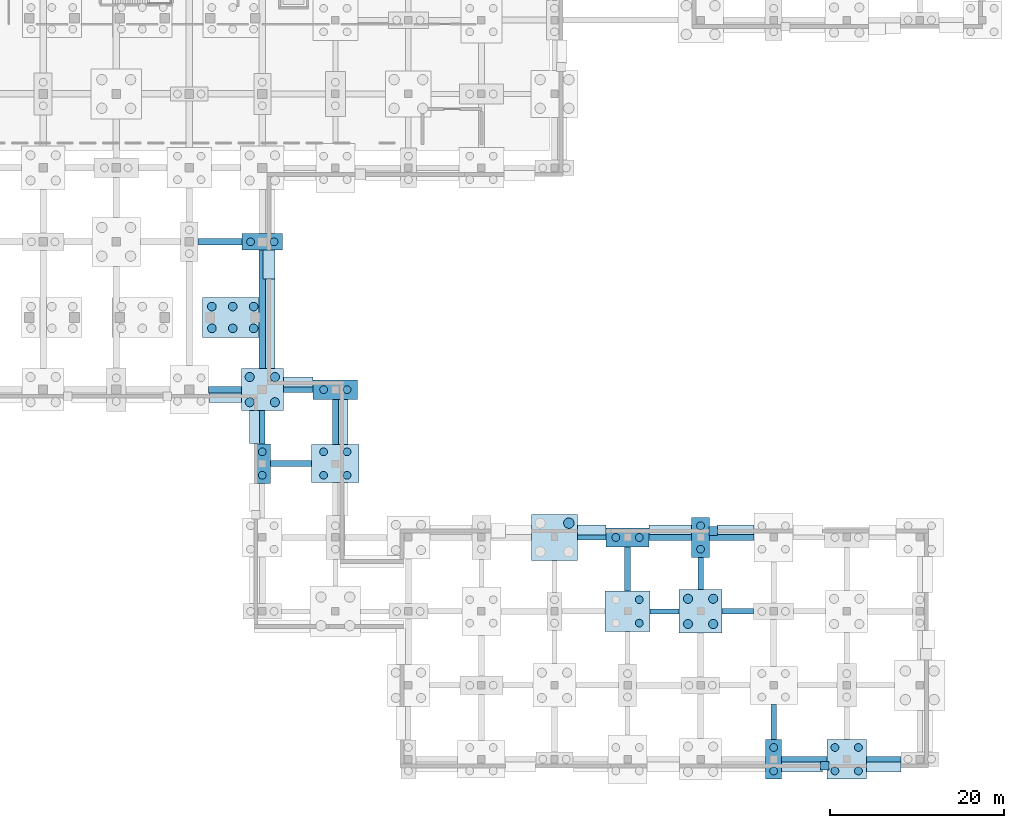
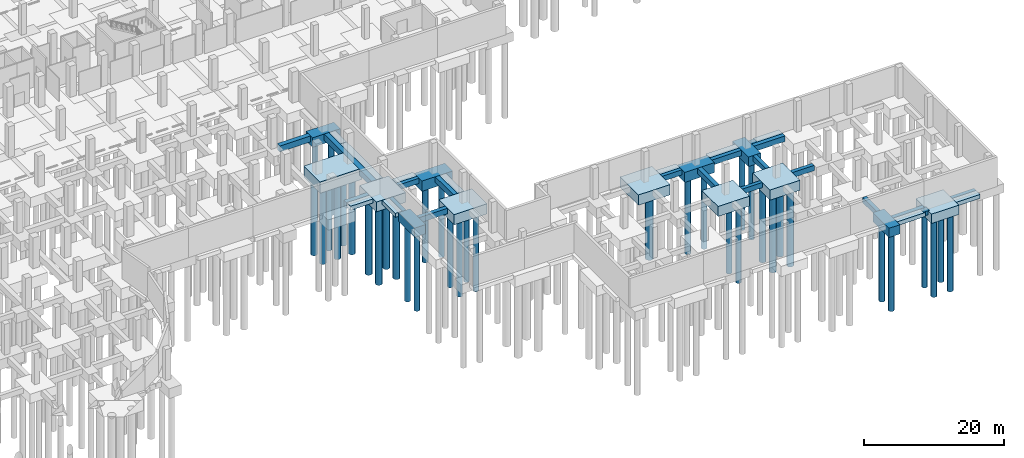
# One storey, part 13 of 34: 43 footings, 37 piles.
"""IFC4 building model written with IfcOpenShell, lengths in metres."""

from ifc_helpers import new_model, si_unit, direction, frame, origin, origin_2d, place, context, subcontext, project, spatial, rectangle, circle, extrude, material, material_profile, profile_set, type_object, element, save


model = new_model("IFC4")

# Units and contexts
model_context = context("Model", 3, precision=1e-05, world=origin(), true_north=direction((0.0, 1.0)))
body_context = subcontext(model_context, "Body", "Model", "MODEL_VIEW")
ifc_project = project(units=[si_unit("LENGTHUNIT", "METRE"), si_unit("AREAUNIT", "SQUARE_METRE"), si_unit("VOLUMEUNIT", "CUBIC_METRE"), si_unit("PLANEANGLEUNIT", "RADIAN"), si_unit("MASSUNIT", "GRAM", prefix="KILO")], contexts=[model_context])

# Site, building, storey
site_placement = place(None, origin())
site = spatial("IfcSite", under=ifc_project, at=site_placement, CompositionType="ELEMENT")
building_placement = place(site_placement, origin())
building = spatial("IfcBuilding", under=site, at=building_placement, Name="Solvento Point Concert Hall", CompositionType="ELEMENT")
storey_placement = place(building_placement, frame((0.0, 0.0, -5.39990234375)))
storey = spatial("IfcBuildingStorey", under=building, at=storey_placement, Name="B01", CompositionType="ELEMENT", Elevation=-5.39990234375)

# Piles
ifc_material_1 = material(Name="Concrete C40/50", Category="concrete")
ifc_material_profile_1 = material_profile(ifc_material_1, circle(Radius=0.5, at=origin_2d()), Name="BP-1000")
ifc_profile_set_1 = profile_set([ifc_material_profile_1], Name="Concrete C40/50")
pile_type_1 = type_object("IfcPileType", Name="BoredPile_1000", PredefinedType="BORED", material=ifc_profile_set_1)
for number, where, z_axis, x_axis, name in (
    (1, (127.39990234375, 49.550048828125, -1.880126953125), (0.0, 0.0, -1.0), (1.0, 0.0, 0.0), "Bored pile BoredPile_1000 #875"),
    (2, (129.800048828125, 49.550048828125, -1.880126953125), (0.0, 0.0, -1.0), (1.0, 0.0, 0.0), "Bored pile BoredPile_1000 #876"),
    (3, (132.199951171875, 49.550048828125, -1.880126953125), (0.0, 0.0, -1.0), (1.0, 0.0, 0.0), "Bored pile BoredPile_1000 #877"),
    (4, (127.39990234375, 52.050048828125, -1.880126953125), (0.0, 0.0, -1.0), (1.0, 0.0, 0.0), "Bored pile BoredPile_1000 #878"),
    (5, (129.800048828125, 52.050048828125, -1.880126953125), (0.0, 0.0, -1.0), (1.0, 0.0, 0.0), "Bored pile BoredPile_1000 #879"),
    (6, (132.199951171875, 52.050048828125, -1.880126953125), (0.0, 0.0, -1.0), (1.0, 0.0, 0.0), "Bored pile BoredPile_1000 #880"),
):
    element("IfcPile", number, at=place(storey_placement, frame(where, z_axis=z_axis, x_axis=x_axis)), inside=storey, type_object=pile_type_1, Name=name, PredefinedType="BORED", context=body_context, shape_type="SweptSolid", body=[
        extrude(circle(Radius=0.5, at=origin_2d()), origin(), (0.0, 0.0, 1.0), 13.219970703125),
    ])
ifc_material_2 = material(Name="Concrete C40/50", Category="concrete")
ifc_material_profile_2 = material_profile(ifc_material_2, circle(Radius=0.52490234375, at=origin_2d()), Name="BP-1050")
ifc_profile_set_2 = profile_set([ifc_material_profile_2], Name="Concrete C40/50")
pile_type_2 = type_object("IfcPileType", Name="BoredPile_1050", PredefinedType="BORED", material=ifc_profile_set_2)
for number, where, z_axis, x_axis, name in (
    (7, (131.75, 41.050048828125, -1.6201171875), (0.0, 0.0, -1.0), (1.0, 0.0, 0.0), "Bored pile BoredPile_1050 #445"),
    (8, (134.64990234375, 41.050048828125, -1.6201171875), (0.0, 0.0, -1.0), (1.0, 0.0, 0.0), "Bored pile BoredPile_1050 #446"),
    (9, (131.75, 43.949951171875, -1.6201171875), (0.0, 0.0, -1.0), (1.0, 0.0, 0.0), "Bored pile BoredPile_1050 #447"),
    (10, (134.64990234375, 43.949951171875, -1.6201171875), (0.0, 0.0, -1.0), (1.0, 0.0, 0.0), "Bored pile BoredPile_1050 #448"),
):
    element("IfcPile", number, at=place(storey_placement, frame(where, z_axis=z_axis, x_axis=x_axis)), inside=storey, type_object=pile_type_2, Name=name, PredefinedType="BORED", context=body_context, shape_type="SweptSolid", body=[
        extrude(circle(Radius=0.52490234375, at=origin_2d()), origin(), (0.0, 0.0, 1.0), 13.47998046875),
    ])
for number, where, z_axis, x_axis, name in (
    (11, (182.14990234375, 15.550048828125, -1.66015625), (0.0, 0.0, -1.0), (1.0, 0.0, 0.0), "Bored pile BoredPile_1050 #667"),
    (12, (185.050048828125, 15.550048828125, -1.66015625), (0.0, 0.0, -1.0), (1.0, 0.0, 0.0), "Bored pile BoredPile_1050 #668"),
    (13, (182.14990234375, 18.449951171875, -1.66015625), (0.0, 0.0, -1.0), (1.0, 0.0, 0.0), "Bored pile BoredPile_1050 #669"),
    (14, (185.050048828125, 18.449951171875, -1.66015625), (0.0, 0.0, -1.0), (1.0, 0.0, 0.0), "Bored pile BoredPile_1050 #670"),
):
    element("IfcPile", number, at=place(storey_placement, frame(where, z_axis=z_axis, x_axis=x_axis)), inside=storey, type_object=pile_type_2, Name=name, PredefinedType="BORED", context=body_context, shape_type="SweptSolid", body=[
        extrude(circle(Radius=0.52490234375, at=origin_2d()), origin(), (0.0, 0.0, 1.0), 13.43994140625),
    ])
ifc_material_3 = material(Name="Concrete C40/50", Category="concrete")
ifc_material_profile_3 = material_profile(ifc_material_3, circle(Radius=0.60009765625, at=origin_2d()), Name="BP-1200")
ifc_profile_set_3 = profile_set([ifc_material_profile_3], Name="Concrete C40/50")
pile_type_3 = type_object("IfcPileType", Name="BoredPile_1200", PredefinedType="BORED", material=ifc_profile_set_3)
pile_placement = place(storey_placement, frame((168.449951171875, 27.14990234375, -1.7001953125), z_axis=(0.0, 0.0, -1.0), x_axis=(1.0, 0.0, 0.0)))
element("IfcPile", 15, at=pile_placement, inside=storey, type_object=pile_type_3, Name="Bored pile BoredPile_1200 #604", PredefinedType="BORED", context=body_context, shape_type="SweptSolid", body=[
    extrude(circle(Radius=0.60009765625, at=origin_2d()), origin(), (0.0, 0.0, 1.0), 13.39990234375),
])
ifc_material_4 = material(Name="Concrete C40/50", Category="concrete")
ifc_material_profile_4 = material_profile(ifc_material_4, circle(Radius=0.449951171875, at=origin_2d()), Name="BP-900")
ifc_profile_set_4 = profile_set([ifc_material_profile_4], Name="Concrete C40/50")
pile_type_4 = type_object("IfcPileType", Name="BoredPile_900", PredefinedType="BORED", material=ifc_profile_set_4)
for number, where, z_axis, x_axis, name in (
    (16, (133.199951171875, 32.64990234375, -1.52001953125), (0.0, 0.0, -1.0), (1.0, 0.0, 0.0), "Bored pile BoredPile_900 #443"),
    (17, (133.199951171875, 35.35009765625, -1.52001953125), (0.0, 0.0, -1.0), (1.0, 0.0, 0.0), "Bored pile BoredPile_900 #444"),
):
    element("IfcPile", number, at=place(storey_placement, frame(where, z_axis=z_axis, x_axis=x_axis)), inside=storey, type_object=pile_type_4, Name=name, PredefinedType="BORED", context=body_context, shape_type="SweptSolid", body=[
        extrude(circle(Radius=0.449951171875, at=origin_2d()), origin(), (0.0, 0.0, 1.0), 13.580078125),
    ])
for number, where, z_axis, x_axis, name in (
    (18, (131.85009765625, 59.5, -1.550048828125), (0.0, 0.0, -1.0), (1.0, 0.0, 0.0), "Bored pile BoredPile_900 #449"),
    (19, (134.550048828125, 59.5, -1.550048828125), (0.0, 0.0, -1.0), (1.0, 0.0, 0.0), "Bored pile BoredPile_900 #450"),
):
    element("IfcPile", number, at=place(storey_placement, frame(where, z_axis=z_axis, x_axis=x_axis)), inside=storey, type_object=pile_type_4, Name=name, PredefinedType="BORED", context=body_context, shape_type="SweptSolid", body=[
        extrude(circle(Radius=0.449951171875, at=origin_2d()), origin(), (0.0, 0.0, 1.0), 13.550048828125),
    ])
for number, where, z_axis, x_axis, name in (
    (20, (140.25, 32.64990234375, -1.68017578125), (0.0, 0.0, -1.0), (1.0, 0.0, 0.0), "Bored pile BoredPile_900 #481"),
    (21, (142.949951171875, 32.64990234375, -1.68017578125), (0.0, 0.0, -1.0), (1.0, 0.0, 0.0), "Bored pile BoredPile_900 #482"),
    (22, (140.25, 35.35009765625, -1.68017578125), (0.0, 0.0, -1.0), (1.0, 0.0, 0.0), "Bored pile BoredPile_900 #483"),
    (23, (142.949951171875, 35.35009765625, -1.68017578125), (0.0, 0.0, -1.0), (1.0, 0.0, 0.0), "Bored pile BoredPile_900 #484"),
):
    element("IfcPile", number, at=place(storey_placement, frame(where, z_axis=z_axis, x_axis=x_axis)), inside=storey, type_object=pile_type_4, Name=name, PredefinedType="BORED", context=body_context, shape_type="SweptSolid", body=[
        extrude(circle(Radius=0.449951171875, at=origin_2d()), origin(), (0.0, 0.0, 1.0), 13.419921875),
    ])
for number, where, z_axis, x_axis, name in (
    (24, (140.25, 42.5, -1.7001953125), (0.0, 0.0, -1.0), (1.0, 0.0, 0.0), "Bored pile BoredPile_900 #485"),
    (25, (142.949951171875, 42.5, -1.7001953125), (0.0, 0.0, -1.0), (1.0, 0.0, 0.0), "Bored pile BoredPile_900 #486"),
):
    element("IfcPile", number, at=place(storey_placement, frame(where, z_axis=z_axis, x_axis=x_axis)), inside=storey, type_object=pile_type_4, Name=name, PredefinedType="BORED", context=body_context, shape_type="SweptSolid", body=[
        extrude(circle(Radius=0.449951171875, at=origin_2d()), origin(), (0.0, 0.0, 1.0), 13.39990234375),
    ])
for number, where, z_axis, x_axis, name in (
    (26, (176.550048828125, 15.64990234375, -1.64013671875), (0.0, 0.0, -1.0), (1.0, 0.0, 0.0), "Bored pile BoredPile_900 #638"),
    (27, (176.550048828125, 18.35009765625, -1.64013671875), (0.0, 0.0, -1.0), (1.0, 0.0, 0.0), "Bored pile BoredPile_900 #640"),
):
    element("IfcPile", number, at=place(storey_placement, frame(where, z_axis=z_axis, x_axis=x_axis)), inside=storey, type_object=pile_type_4, Name=name, PredefinedType="BORED", context=body_context, shape_type="SweptSolid", body=[
        extrude(circle(Radius=0.449951171875, at=origin_2d()), origin(), (0.0, 0.0, 1.0), 13.4599609375),
    ])
for number, where, z_axis, x_axis, name in (
    (28, (173.85009765625, 25.5, -1.650146484375), (0.0, 0.0, -1.0), (1.0, 0.0, 0.0), "Bored pile BoredPile_900 #641"),
    (29, (176.550048828125, 25.5, -1.650146484375), (0.0, 0.0, -1.0), (1.0, 0.0, 0.0), "Bored pile BoredPile_900 #642"),
):
    element("IfcPile", number, at=place(storey_placement, frame(where, z_axis=z_axis, x_axis=x_axis)), inside=storey, type_object=pile_type_4, Name=name, PredefinedType="BORED", context=body_context, shape_type="SweptSolid", body=[
        extrude(circle(Radius=0.449951171875, at=origin_2d()), origin(), (0.0, 0.0, 1.0), 13.449951171875),
    ])
for number, where, z_axis, x_axis, name in (
    (30, (183.60009765625, 24.14990234375, -1.56005859375), (0.0, 0.0, -1.0), (1.0, 0.0, 0.0), "Bored pile BoredPile_900 #671"),
    (31, (183.60009765625, 26.85009765625, -1.56005859375), (0.0, 0.0, -1.0), (1.0, 0.0, 0.0), "Bored pile BoredPile_900 #672"),
):
    element("IfcPile", number, at=place(storey_placement, frame(where, z_axis=z_axis, x_axis=x_axis)), inside=storey, type_object=pile_type_4, Name=name, PredefinedType="BORED", context=body_context, shape_type="SweptSolid", body=[
        extrude(circle(Radius=0.449951171875, at=origin_2d()), origin(), (0.0, 0.0, 1.0), 13.5400390625),
    ])
for number, where, z_axis, x_axis, name in (
    (32, (192.0, -1.35009765625, -1.52001953125), (0.0, 0.0, -1.0), (1.0, 0.0, 0.0), "Bored pile BoredPile_900 #695"),
    (33, (192.0, 1.35009765625, -1.52001953125), (0.0, 0.0, -1.0), (1.0, 0.0, 0.0), "Bored pile BoredPile_900 #696"),
):
    element("IfcPile", number, at=place(storey_placement, frame(where, z_axis=z_axis, x_axis=x_axis)), inside=storey, type_object=pile_type_4, Name=name, PredefinedType="BORED", context=body_context, shape_type="SweptSolid", body=[
        extrude(circle(Radius=0.449951171875, at=origin_2d()), origin(), (0.0, 0.0, 1.0), 13.580078125),
    ])
for number, where, z_axis, x_axis, name in (
    (34, (199.050048828125, -1.35009765625, -1.550048828125), (0.0, 0.0, -1.0), (1.0, 0.0, 0.0), "Bored pile BoredPile_900 #727"),
    (35, (201.75, -1.35009765625, -1.550048828125), (0.0, 0.0, -1.0), (1.0, 0.0, 0.0), "Bored pile BoredPile_900 #728"),
    (36, (199.050048828125, 1.35009765625, -1.550048828125), (0.0, 0.0, -1.0), (1.0, 0.0, 0.0), "Bored pile BoredPile_900 #729"),
    (37, (201.75, 1.35009765625, -1.550048828125), (0.0, 0.0, -1.0), (1.0, 0.0, 0.0), "Bored pile BoredPile_900 #730"),
):
    element("IfcPile", number, at=place(storey_placement, frame(where, z_axis=z_axis, x_axis=x_axis)), inside=storey, type_object=pile_type_4, Name=name, PredefinedType="BORED", context=body_context, shape_type="SweptSolid", body=[
        extrude(circle(Radius=0.449951171875, at=origin_2d()), origin(), (0.0, 0.0, 1.0), 13.550048828125),
    ])

# Footings
ifc_material_5 = material(Name="Concrete C40/50", Category="concrete")
footing_type_1 = type_object("IfcFootingType", Name="PileCap_2D", PredefinedType="PILE_CAP", material=ifc_material_5)
for number, where, z_axis, x_axis, name in (
    (38, (133.199951171875, 34.0, -1.6201171875), (0.0, 0.0, 1.0), (1.0, 0.0, 0.0), "Pile cap PC-2D at G-17-E"),
    (39, (192.0, 0.0, -1.6201171875), (0.0, 0.0, 1.0), (1.0, 0.0, 0.0), "Pile cap PC-2D at G-24-A"),
):
    element("IfcFooting", number, at=place(storey_placement, frame(where, z_axis=z_axis, x_axis=x_axis)), inside=storey, type_object=footing_type_1, Name=name, PredefinedType="PILE_CAP", context=body_context, shape_type="SweptSolid", body=[
        extrude(rectangle(XDim=1.840087890625, YDim=4.5400390625, at=origin_2d()), origin(), (0.0, 0.0, 1.0), 1.6201171875),
    ])
ifc_material_6 = material(Name="Concrete C40/50", Category="concrete")
footing_type_2 = type_object("IfcFootingType", Name="PileCap_2E", PredefinedType="PILE_CAP", material=ifc_material_6)
footing_1_placement = place(storey_placement, frame((133.199951171875, 59.5, -1.650146484375), z_axis=(0.0, 0.0, 1.0), x_axis=(1.0, 0.0, 0.0)))
element("IfcFooting", 40, at=footing_1_placement, inside=storey, type_object=footing_type_2, Name="Pile cap PC-2E at G-17-H", PredefinedType="PILE_CAP", context=body_context, shape_type="SweptSolid", body=[
    extrude(rectangle(XDim=4.6201171875, YDim=1.89990234375, at=origin_2d()), origin(), (0.0, 0.0, 1.0), 1.64990234375),
])
ifc_material_7 = material(Name="Concrete C40/50", Category="concrete")
footing_type_3 = type_object("IfcFootingType", Name="PileCap_2J", PredefinedType="PILE_CAP", material=ifc_material_7)
footing_2_placement = place(storey_placement, frame((175.199951171875, 25.5, -1.75), z_axis=(0.0, 0.0, 1.0), x_axis=(1.0, 0.0, 0.0)))
element("IfcFooting", 41, at=footing_2_placement, inside=storey, type_object=footing_type_3, Name="Pile cap PC-2J at G-22-D", PredefinedType="PILE_CAP", context=body_context, shape_type="SweptSolid", body=[
    extrude(rectangle(XDim=4.93994140625, YDim=2.139892578125, at=origin_2d()), origin(), (0.0, 0.0, 1.0), 1.75),
])
ifc_material_8 = material(Name="Concrete C40/50", Category="concrete")
footing_type_4 = type_object("IfcFootingType", Name="PileCap_2L", PredefinedType="PILE_CAP", material=ifc_material_8)
footing_3_placement = place(storey_placement, frame((141.60009765625, 42.5, -1.80029296875), z_axis=(0.0, 0.0, 1.0), x_axis=(1.0, 0.0, 0.0)))
element("IfcFooting", 42, at=footing_3_placement, inside=storey, type_object=footing_type_4, Name="Pile cap PC-2L at G-18-F", PredefinedType="PILE_CAP", context=body_context, shape_type="SweptSolid", body=[
    extrude(rectangle(XDim=5.10009765625, YDim=2.260009765625, at=origin_2d()), origin(), (0.0, 0.0, 1.0), 1.800048828125),
])
ifc_material_9 = material(Name="Concrete C40/50", Category="concrete")
footing_type_5 = type_object("IfcFootingType", Name="PileCap_2P", PredefinedType="PILE_CAP", material=ifc_material_9)
footing_4_placement = place(storey_placement, frame((183.60009765625, 25.5, -1.66015625), z_axis=(0.0, 0.0, 1.0), x_axis=(1.0, 0.0, 0.0)))
element("IfcFooting", 43, at=footing_4_placement, inside=storey, type_object=footing_type_5, Name="Pile cap PC-2P at G-23-D", PredefinedType="PILE_CAP", context=body_context, shape_type="SweptSolid", body=[
    extrude(rectangle(XDim=2.050048828125, YDim=4.580078125, at=origin_2d()), origin(), (0.0, 0.0, 1.0), 1.659912109375),
])
ifc_material_10 = material(Name="Concrete C40/50", Category="concrete")
footing_type_6 = type_object("IfcFootingType", Name="PileCap_4B", PredefinedType="PILE_CAP", material=ifc_material_10)
footing_5_placement = place(storey_placement, frame((200.39990234375, 0.0, -1.650146484375), z_axis=(0.0, 0.0, 1.0), x_axis=(1.0, 0.0, 0.0)))
element("IfcFooting", 44, at=footing_5_placement, inside=storey, type_object=footing_type_6, Name="Pile cap PC-4B at G-25-A", PredefinedType="PILE_CAP", context=body_context, shape_type="SweptSolid", body=[
    extrude(rectangle(XDim=4.5, YDim=4.5, at=origin_2d()), origin(), (0.0, 0.0, 1.0), 1.64990234375),
])
ifc_material_11 = material(Name="Concrete C40/50", Category="concrete")
footing_type_7 = type_object("IfcFootingType", Name="PileCap_4C", PredefinedType="PILE_CAP", material=ifc_material_11)
footing_6_placement = place(storey_placement, frame((133.199951171875, 42.5, -1.72021484375), z_axis=(0.0, 0.0, 1.0), x_axis=(1.0, 0.0, 0.0)))
element("IfcFooting", 45, at=footing_6_placement, inside=storey, type_object=footing_type_7, Name="Pile cap PC-4C at G-17-F", PredefinedType="PILE_CAP", context=body_context, shape_type="SweptSolid", body=[
    extrude(rectangle(XDim=4.820068359375, YDim=4.820068359375, at=origin_2d()), origin(), (0.0, 0.0, 1.0), 1.719970703125),
])
ifc_material_12 = material(Name="Concrete C40/50", Category="concrete")
footing_type_8 = type_object("IfcFootingType", Name="PileCap_4D", PredefinedType="PILE_CAP", material=ifc_material_12)
footing_7_placement = place(storey_placement, frame((183.60009765625, 17.0, -1.76025390625), z_axis=(0.0, 0.0, 1.0), x_axis=(1.0, 0.0, 0.0)))
element("IfcFooting", 46, at=footing_7_placement, inside=storey, type_object=footing_type_8, Name="Pile cap PC-4D at G-23-C", PredefinedType="PILE_CAP", context=body_context, shape_type="SweptSolid", body=[
    extrude(rectangle(XDim=4.97998046875, YDim=4.97998046875, at=origin_2d()), origin(), (0.0, 0.0, 1.0), 1.760009765625),
])
ifc_material_13 = material(Name="Concrete C40/50", Category="concrete")
footing_type_9 = type_object("IfcFootingType", Name="PileCap_4E", PredefinedType="PILE_CAP", material=ifc_material_13)
footing_8_placement = place(storey_placement, frame((166.800048828125, 25.5, -1.80029296875), z_axis=(0.0, 0.0, 1.0), x_axis=(1.0, 0.0, 0.0)))
element("IfcFooting", 47, at=footing_8_placement, inside=storey, type_object=footing_type_9, Name="Pile cap PC-4E at G-21-D", PredefinedType="PILE_CAP", context=body_context, shape_type="SweptSolid", body=[
    extrude(rectangle(XDim=5.25, YDim=5.25, at=origin_2d()), origin(), (0.0, 0.0, 1.0), 1.800048828125),
])
ifc_material_14 = material(Name="Concrete C40/50", Category="concrete")
footing_type_10 = type_object("IfcFootingType", Name="PileCap_4J", PredefinedType="PILE_CAP", material=ifc_material_14)
footing_9_placement = place(storey_placement, frame((141.60009765625, 34.0, -1.7802734375), z_axis=(0.0, 0.0, 1.0), x_axis=(1.0, 0.0, 0.0)))
element("IfcFooting", 48, at=footing_9_placement, inside=storey, type_object=footing_type_10, Name="Pile cap PC-4J at G-18-E", PredefinedType="PILE_CAP", context=body_context, shape_type="SweptSolid", body=[
    extrude(rectangle(XDim=5.4599609375, YDim=4.360107421875, at=origin_2d()), origin(), (0.0, 0.0, 1.0), 1.780029296875),
])
ifc_material_15 = material(Name="Concrete C40/50", Category="concrete")
footing_type_11 = type_object("IfcFootingType", Name="PileCap_4L", PredefinedType="PILE_CAP", material=ifc_material_15)
footing_10_placement = place(storey_placement, frame((175.199951171875, 17.0, -1.740234375), z_axis=(0.0, 0.0, 1.0), x_axis=(1.0, 0.0, 0.0)))
element("IfcFooting", 49, at=footing_10_placement, inside=storey, type_object=footing_type_11, Name="Pile cap PC-4L at G-22-C", PredefinedType="PILE_CAP", context=body_context, shape_type="SweptSolid", body=[
    extrude(rectangle(XDim=5.159912109375, YDim=4.659912109375, at=origin_2d()), origin(), (0.0, 0.0, 1.0), 1.739990234375),
])
ifc_material_16 = material(Name="Concrete C40/50", Category="concrete")
footing_type_12 = type_object("IfcFootingType", Name="PileCap_6C", PredefinedType="PILE_CAP", material=ifc_material_16)
footing_11_placement = place(storey_placement, frame((129.800048828125, 50.800048828125, -1.97998046875), z_axis=(0.0, 0.0, 1.0), x_axis=(1.0, 0.0, 0.0)))
element("IfcFooting", 50, at=footing_11_placement, inside=storey, type_object=footing_type_12, Name="Pile cap PC-6C at D-DS11", PredefinedType="PILE_CAP", context=body_context, shape_type="SweptSolid", body=[
    extrude(rectangle(XDim=6.97998046875, YDim=4.639892578125, at=origin_2d()), origin(), (0.0, 0.0, 1.0), 1.97998046875),
])
ifc_material_17 = material(Name="Concrete C40/50", Category="concrete")
footing_type_13 = type_object("IfcFootingType", Name="StripFooting_1400x700", PredefinedType="STRIP_FOOTING", material=ifc_material_17)
footing_12_placement = place(storey_placement, frame((133.955078125, 56.89501953125, -0.7001953125), z_axis=(0.0, 0.0, 1.0), x_axis=(0.0, -1.0, 0.0)))
element("IfcFooting", 51, at=footing_12_placement, inside=storey, type_object=footing_type_13, Name="Strip footing SF-02", PredefinedType="STRIP_FOOTING", context=body_context, shape_type="SweptSolid", body=[
    extrude(rectangle(XDim=3.2900390625, YDim=1.39990234375, at=origin_2d()), origin(), (0.0, 0.0, 1.0), 0.699951171875),
])
footing_13_placement = place(storey_placement, frame((133.955078125, 50.080078125, -0.7001953125), z_axis=(0.0, 0.0, 1.0), x_axis=(0.0, -1.0, 0.0)))
element("IfcFooting", 52, at=footing_13_placement, inside=storey, type_object=footing_type_13, Name="Strip footing SF-02", PredefinedType="STRIP_FOOTING", context=body_context, shape_type="SweptSolid", body=[
    extrude(rectangle(XDim=10.320068359375, YDim=1.39990234375, at=origin_2d()), origin(), (0.0, 0.0, 1.0), 0.699951171875),
])
footing_14_placement = place(storey_placement, frame((137.330078125, 43.2548828125, -0.7001953125), z_axis=(0.0, 0.0, 1.0), x_axis=(1.0, 0.0, 0.0)))
element("IfcFooting", 53, at=footing_14_placement, inside=storey, type_object=footing_type_13, Name="Strip footing SF-02", PredefinedType="STRIP_FOOTING", context=body_context, shape_type="SweptSolid", body=[
    extrude(rectangle(XDim=3.419921875, YDim=1.39990234375, at=origin_2d()), origin(), (0.0, 0.0, 1.0), 0.699951171875),
])
footing_15_placement = place(storey_placement, frame((142.35498046875, 38.77490234375, -0.7001953125), z_axis=(0.0, 0.0, 1.0), x_axis=(0.0, -1.0, 0.0)))
element("IfcFooting", 54, at=footing_15_placement, inside=storey, type_object=footing_type_13, Name="Strip footing SF-02", PredefinedType="STRIP_FOOTING", context=body_context, shape_type="SweptSolid", body=[
    extrude(rectangle(XDim=5.169921875, YDim=1.39990234375, at=origin_2d()), origin(), (0.0, 0.0, 1.0), 0.699951171875),
])
footing_16_placement = place(storey_placement, frame((171.077392578125, 26.2548828125, -0.7001953125), z_axis=(0.0, 0.0, 1.0), x_axis=(1.0, 0.0, 0.0)))
element("IfcFooting", 55, at=footing_16_placement, inside=storey, type_object=footing_type_13, Name="Strip footing SF-02", PredefinedType="STRIP_FOOTING", context=body_context, shape_type="SweptSolid", body=[
    extrude(rectangle(XDim=3.284912109375, YDim=1.39990234375, at=origin_2d()), origin(), (0.0, 0.0, 1.0), 0.699951171875),
])
footing_17_placement = place(storey_placement, frame((180.12255859375, 26.2548828125, -0.7001953125), z_axis=(0.0, 0.0, 1.0), x_axis=(1.0, 0.0, 0.0)))
element("IfcFooting", 56, at=footing_17_placement, inside=storey, type_object=footing_type_13, Name="Strip footing SF-02", PredefinedType="STRIP_FOOTING", context=body_context, shape_type="SweptSolid", body=[
    extrude(rectangle(XDim=4.885009765625, YDim=1.39990234375, at=origin_2d()), origin(), (0.0, 0.0, 1.0), 0.699951171875),
])
footing_18_placement = place(storey_placement, frame((185.055419921875, 26.2548828125, -0.7001953125), z_axis=(0.0, 0.0, 1.0), x_axis=(1.0, 0.0, 0.0)))
element("IfcFooting", 57, at=footing_18_placement, inside=storey, type_object=footing_type_13, Name="Strip footing SF-02", PredefinedType="STRIP_FOOTING", context=body_context, shape_type="SweptSolid", body=[
    extrude(rectangle(XDim=1.0, YDim=1.0, at=origin_2d()), origin(), (0.0, 0.0, 1.0), 0.699951171875),
])
footing_19_placement = place(storey_placement, frame((187.617919921875, 26.2548828125, -0.7001953125), z_axis=(0.0, 0.0, 1.0), x_axis=(1.0, 0.0, 0.0)))
element("IfcFooting", 58, at=footing_19_placement, inside=storey, type_object=footing_type_13, Name="Strip footing SF-02", PredefinedType="STRIP_FOOTING", context=body_context, shape_type="SweptSolid", body=[
    extrude(rectangle(XDim=4.263916015625, YDim=1.39990234375, at=origin_2d()), origin(), (0.0, 0.0, 1.0), 0.699951171875),
])
footing_20_placement = place(storey_placement, frame((204.64990234375, -0.7548828125, -0.7001953125), z_axis=(0.0, 0.0, 1.0), x_axis=(-1.0, 0.0, 0.0)))
element("IfcFooting", 59, at=footing_20_placement, inside=storey, type_object=footing_type_13, Name="Strip footing SF-02", PredefinedType="STRIP_FOOTING", context=body_context, shape_type="SweptSolid", body=[
    extrude(rectangle(XDim=3.97998046875, YDim=1.39990234375, at=origin_2d()), origin(), (0.0, 0.0, 1.0), 0.699951171875),
])
footing_21_placement = place(storey_placement, frame((197.884033203125, -0.7548828125, -0.7001953125), z_axis=(0.0, 0.0, 1.0), x_axis=(-1.0, 0.0, 0.0)))
element("IfcFooting", 60, at=footing_21_placement, inside=storey, type_object=footing_type_13, Name="Strip footing SF-02", PredefinedType="STRIP_FOOTING", context=body_context, shape_type="SweptSolid", body=[
    extrude(rectangle(XDim=1.0, YDim=1.0, at=origin_2d()), origin(), (0.0, 0.0, 1.0), 0.699951171875),
])
footing_22_placement = place(storey_placement, frame((195.27392578125, -0.7548828125, -0.7001953125), z_axis=(0.0, 0.0, 1.0), x_axis=(-1.0, 0.0, 0.0)))
element("IfcFooting", 61, at=footing_22_placement, inside=storey, type_object=footing_type_13, Name="Strip footing SF-02", PredefinedType="STRIP_FOOTING", context=body_context, shape_type="SweptSolid", body=[
    extrude(rectangle(XDim=4.68798828125, YDim=1.39990234375, at=origin_2d()), origin(), (0.0, 0.0, 1.0), 0.699951171875),
])
footing_23_placement = place(storey_placement, frame((132.445068359375, 38.179931640625, -0.7001953125), z_axis=(0.0, 0.0, 1.0), x_axis=(0.0, 1.0, 0.0)))
element("IfcFooting", 62, at=footing_23_placement, inside=storey, type_object=footing_type_13, Name="Strip footing SF-02", PredefinedType="STRIP_FOOTING", context=body_context, shape_type="SweptSolid", body=[
    extrude(rectangle(XDim=3.800048828125, YDim=1.39990234375, at=origin_2d()), origin(), (0.0, 0.0, 1.0), 0.699951171875),
])
footing_24_placement = place(storey_placement, frame((128.9150390625, 41.7451171875, -0.7001953125), z_axis=(0.0, 0.0, 1.0), x_axis=(-1.0, 0.0, 0.0)))
element("IfcFooting", 63, at=footing_24_placement, inside=storey, type_object=footing_type_13, Name="Strip footing SF-02", PredefinedType="STRIP_FOOTING", context=body_context, shape_type="SweptSolid", body=[
    extrude(rectangle(XDim=3.72998046875, YDim=1.39990234375, at=origin_2d()), origin(), (0.0, 0.0, 1.0), 0.699951171875),
])
ifc_material_18 = material(Name="Concrete C40/50", Category="concrete")
footing_type_14 = type_object("IfcFootingType", Name="TieBeam_600x900", PredefinedType="FOOTING_BEAM", material=ifc_material_18)
footing_25_placement = place(storey_placement, frame((179.445068359375, 17.0, -0.900146484375), z_axis=(0.0, 0.0, 1.0), x_axis=(1.0, 0.0, 0.0)))
element("IfcFooting", 64, at=footing_25_placement, inside=storey, type_object=footing_type_14, Name="Seismic tie beam GB-01", PredefinedType="FOOTING_BEAM", context=body_context, shape_type="SweptSolid", body=[
    extrude(rectangle(XDim=3.330078125, YDim=0.60009765625, at=origin_2d()), origin(), (0.0, 0.0, 1.0), 0.89990234375),
])
footing_26_placement = place(storey_placement, frame((171.077392578125, 25.5, -0.900146484375), z_axis=(0.0, 0.0, 1.0), x_axis=(1.0, 0.0, 0.0)))
element("IfcFooting", 65, at=footing_26_placement, inside=storey, type_object=footing_type_14, Name="Seismic tie beam GB-01", PredefinedType="FOOTING_BEAM", context=body_context, shape_type="SweptSolid", body=[
    extrude(rectangle(XDim=3.304931640625, YDim=0.60009765625, at=origin_2d()), origin(), (0.0, 0.0, 1.0), 0.89990234375),
])
footing_27_placement = place(storey_placement, frame((137.330078125, 42.5, -0.900146484375), z_axis=(0.0, 0.0, 1.0), x_axis=(1.0, 0.0, 0.0)))
element("IfcFooting", 66, at=footing_27_placement, inside=storey, type_object=footing_type_14, Name="Seismic tie beam GB-01", PredefinedType="FOOTING_BEAM", context=body_context, shape_type="SweptSolid", body=[
    extrude(rectangle(XDim=3.43994140625, YDim=0.60009765625, at=origin_2d()), origin(), (0.0, 0.0, 1.0), 0.89990234375),
])
ifc_material_19 = material(Name="Concrete C40/50", Category="concrete")
footing_type_15 = type_object("IfcFootingType", Name="TieBeam_620x920", PredefinedType="FOOTING_BEAM", material=ifc_material_19)
footing_28_placement = place(storey_placement, frame((204.64990234375, 0.0, -0.920166015625), z_axis=(0.0, 0.0, 1.0), x_axis=(1.0, 0.0, 0.0)))
element("IfcFooting", 67, at=footing_28_placement, inside=storey, type_object=footing_type_15, Name="Seismic tie beam GB-02", PredefinedType="FOOTING_BEAM", context=body_context, shape_type="SweptSolid", body=[
    extrude(rectangle(XDim=4.0, YDim=0.6201171875, at=origin_2d()), origin(), (0.0, 0.0, 1.0), 0.919921875),
])
footing_29_placement = place(storey_placement, frame((187.889892578125, 17.0, -0.920166015625), z_axis=(0.0, 0.0, 1.0), x_axis=(1.0, 0.0, 0.0)))
element("IfcFooting", 68, at=footing_29_placement, inside=storey, type_object=footing_type_15, Name="Seismic tie beam GB-02", PredefinedType="FOOTING_BEAM", context=body_context, shape_type="SweptSolid", body=[
    extrude(rectangle(XDim=3.60009765625, YDim=0.6201171875, at=origin_2d()), origin(), (0.0, 0.0, 1.0), 0.919921875),
])
footing_30_placement = place(storey_placement, frame((133.199951171875, 38.179931640625, -0.920166015625), z_axis=(0.0, 0.0, 1.0), x_axis=(0.0, 1.0, 0.0)))
element("IfcFooting", 69, at=footing_30_placement, inside=storey, type_object=footing_type_15, Name="Seismic tie beam GB-02", PredefinedType="FOOTING_BEAM", context=body_context, shape_type="SweptSolid", body=[
    extrude(rectangle(XDim=3.820068359375, YDim=0.6201171875, at=origin_2d()), origin(), (0.0, 0.0, 1.0), 0.919921875),
])
footing_31_placement = place(storey_placement, frame((183.60009765625, 21.35009765625, -0.920166015625), z_axis=(0.0, 0.0, 1.0), x_axis=(0.0, 1.0, 0.0)))
element("IfcFooting", 70, at=footing_31_placement, inside=storey, type_object=footing_type_15, Name="Seismic tie beam GB-02", PredefinedType="FOOTING_BEAM", context=body_context, shape_type="SweptSolid", body=[
    extrude(rectangle(XDim=3.719970703125, YDim=0.6201171875, at=origin_2d()), origin(), (0.0, 0.0, 1.0), 0.919921875),
])
footing_32_placement = place(storey_placement, frame((192.0, 4.294921875, -0.920166015625), z_axis=(0.0, 0.0, 1.0), x_axis=(0.0, 1.0, 0.0)))
element("IfcFooting", 71, at=footing_32_placement, inside=storey, type_object=footing_type_15, Name="Seismic tie beam GB-02", PredefinedType="FOOTING_BEAM", context=body_context, shape_type="SweptSolid", body=[
    extrude(rectangle(XDim=4.050048828125, YDim=0.6201171875, at=origin_2d()), origin(), (0.0, 0.0, 1.0), 0.919921875),
])
ifc_material_20 = material(Name="Concrete C40/50", Category="concrete")
footing_type_16 = type_object("IfcFootingType", Name="TieBeam_650x950", PredefinedType="FOOTING_BEAM", material=ifc_material_20)
footing_33_placement = place(storey_placement, frame((180.12255859375, 25.5, -0.9501953125), z_axis=(0.0, 0.0, 1.0), x_axis=(1.0, 0.0, 0.0)))
element("IfcFooting", 72, at=footing_33_placement, inside=storey, type_object=footing_type_16, Name="Seismic tie beam GB-03", PredefinedType="FOOTING_BEAM", context=body_context, shape_type="SweptSolid", body=[
    extrude(rectangle(XDim=4.905029296875, YDim=0.64990234375, at=origin_2d()), origin(), (0.0, 0.0, 1.0), 0.949951171875),
])
footing_34_placement = place(storey_placement, frame((136.4951171875, 34.0, -0.9501953125), z_axis=(0.0, 0.0, 1.0), x_axis=(1.0, 0.0, 0.0)))
element("IfcFooting", 73, at=footing_34_placement, inside=storey, type_object=footing_type_16, Name="Seismic tie beam GB-03", PredefinedType="FOOTING_BEAM", context=body_context, shape_type="SweptSolid", body=[
    extrude(rectangle(XDim=4.75, YDim=0.64990234375, at=origin_2d()), origin(), (0.0, 0.0, 1.0), 0.949951171875),
])
ifc_material_21 = material(Name="Concrete C40/50", Category="concrete")
footing_type_17 = type_object("IfcFootingType", Name="TieBeam_680x980", PredefinedType="FOOTING_BEAM", material=ifc_material_21)
footing_35_placement = place(storey_placement, frame((195.534912109375, 0.0, -0.97998046875), z_axis=(0.0, 0.0, 1.0), x_axis=(1.0, 0.0, 0.0)))
element("IfcFooting", 74, at=footing_35_placement, inside=storey, type_object=footing_type_17, Name="Seismic tie beam GB-04", PredefinedType="FOOTING_BEAM", context=body_context, shape_type="SweptSolid", body=[
    extrude(rectangle(XDim=5.22998046875, YDim=0.679931640625, at=origin_2d()), origin(), (0.0, 0.0, 1.0), 0.97998046875),
])
footing_36_placement = place(storey_placement, frame((187.1923828125, 25.5, -0.97998046875), z_axis=(0.0, 0.0, 1.0), x_axis=(1.0, 0.0, 0.0)))
element("IfcFooting", 75, at=footing_36_placement, inside=storey, type_object=footing_type_17, Name="Seismic tie beam GB-04", PredefinedType="FOOTING_BEAM", context=body_context, shape_type="SweptSolid", body=[
    extrude(rectangle(XDim=5.135009765625, YDim=0.679931640625, at=origin_2d()), origin(), (0.0, 0.0, 1.0), 0.97998046875),
])
footing_37_placement = place(storey_placement, frame((141.60009765625, 38.77490234375, -0.97998046875), z_axis=(0.0, 0.0, 1.0), x_axis=(0.0, 1.0, 0.0)))
element("IfcFooting", 76, at=footing_37_placement, inside=storey, type_object=footing_type_17, Name="Seismic tie beam GB-04", PredefinedType="FOOTING_BEAM", context=body_context, shape_type="SweptSolid", body=[
    extrude(rectangle(XDim=5.18994140625, YDim=0.679931640625, at=origin_2d()), origin(), (0.0, 0.0, 1.0), 0.97998046875),
])
footing_38_placement = place(storey_placement, frame((175.199951171875, 21.8798828125, -0.97998046875), z_axis=(0.0, 0.0, 1.0), x_axis=(0.0, 1.0, 0.0)))
element("IfcFooting", 77, at=footing_38_placement, inside=storey, type_object=footing_type_17, Name="Seismic tie beam GB-04", PredefinedType="FOOTING_BEAM", context=body_context, shape_type="SweptSolid", body=[
    extrude(rectangle(XDim=5.10009765625, YDim=0.679931640625, at=origin_2d()), origin(), (0.0, 0.0, 1.0), 0.97998046875),
])
ifc_material_22 = material(Name="Concrete C40/50", Category="concrete")
footing_type_18 = type_object("IfcFootingType", Name="TieBeam_750x1050", PredefinedType="FOOTING_BEAM", material=ifc_material_22)
footing_39_placement = place(storey_placement, frame((128.9150390625, 42.5, -1.05029296875), z_axis=(0.0, 0.0, 1.0), x_axis=(1.0, 0.0, 0.0)))
element("IfcFooting", 78, at=footing_39_placement, inside=storey, type_object=footing_type_18, Name="Seismic tie beam GB-07", PredefinedType="FOOTING_BEAM", context=body_context, shape_type="SweptSolid", body=[
    extrude(rectangle(XDim=3.75, YDim=0.75, at=origin_2d()), origin(), (0.0, 0.0, 1.0), 1.050048828125),
])
footing_40_placement = place(storey_placement, frame((128.357421875, 59.5, -1.05029296875), z_axis=(0.0, 0.0, 1.0), x_axis=(1.0, 0.0, 0.0)))
element("IfcFooting", 79, at=footing_40_placement, inside=storey, type_object=footing_type_18, Name="Seismic tie beam GB-07", PredefinedType="FOOTING_BEAM", context=body_context, shape_type="SweptSolid", body=[
    extrude(rectangle(XDim=5.06494140625, YDim=0.75, at=origin_2d()), origin(), (0.0, 0.0, 1.0), 1.050048828125),
])
ifc_material_23 = material(Name="Concrete C40/50", Category="concrete")
footing_type_19 = type_object("IfcFootingType", Name="TieBeam_780x1080", PredefinedType="FOOTING_BEAM", material=ifc_material_23)
footing_41_placement = place(storey_placement, frame((133.199951171875, 51.72998046875, -1.080078125), z_axis=(0.0, 0.0, 1.0), x_axis=(0.0, 1.0, 0.0)))
element("IfcFooting", 80, at=footing_41_placement, inside=storey, type_object=footing_type_19, Name="Seismic tie beam GB-08", PredefinedType="FOOTING_BEAM", context=body_context, shape_type="SweptSolid", body=[
    extrude(rectangle(XDim=13.639892578125, YDim=0.780029296875, at=origin_2d()), origin(), (0.0, 0.0, 1.0), 1.080078125),
])

save(model, "model.ifc")
